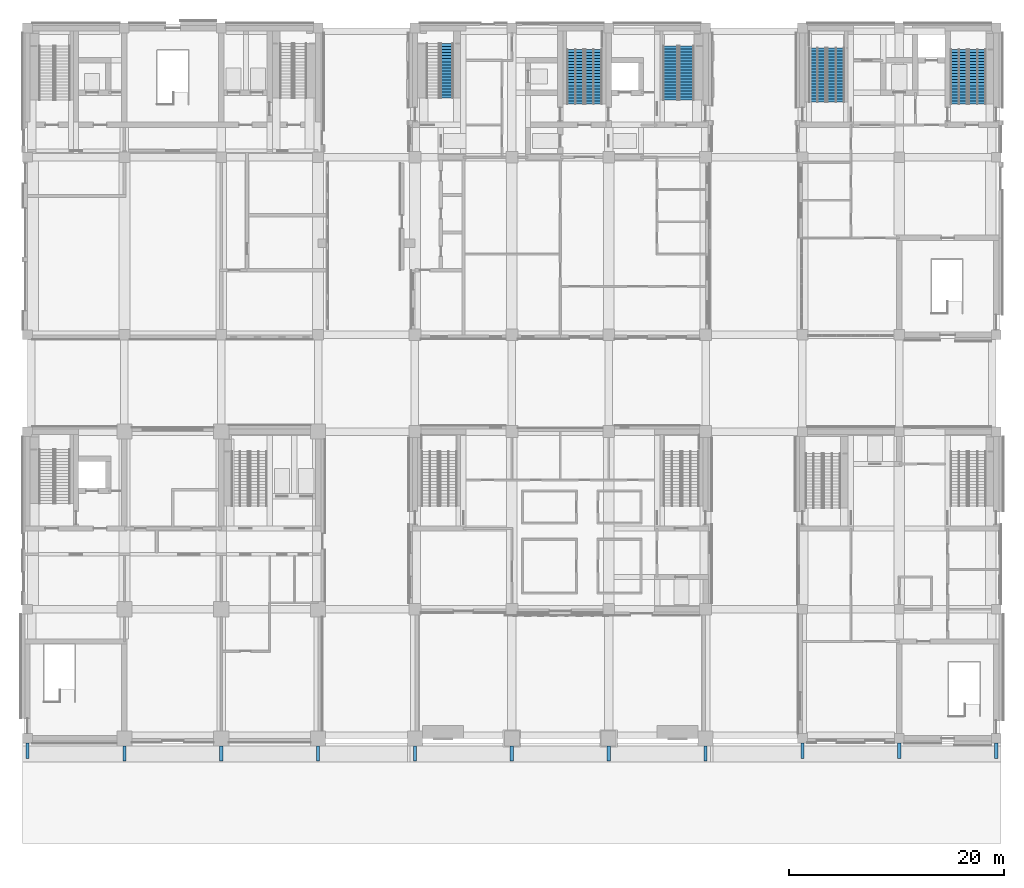
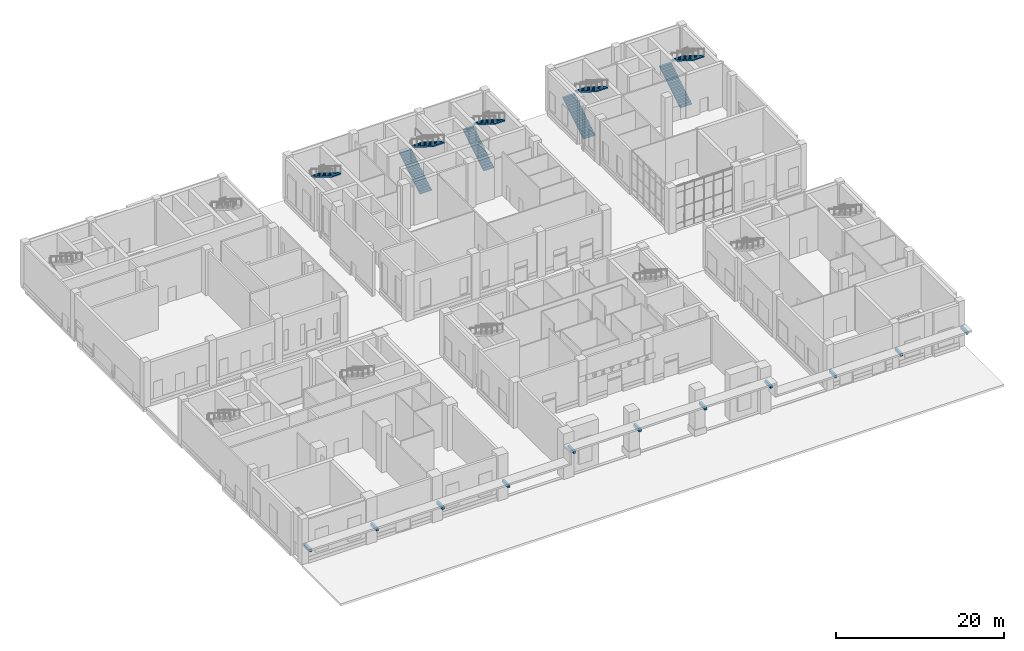
# One storey, part 21 of 35: 11 discrete accessories, 9 stair flights, 5 elements without a shape of their own.
"""IFC4 building model written with IfcOpenShell, lengths in metres."""

from ifc_helpers import new_model, si_unit, direction, frame, origin, origin_2d, place, context, subcontext, project, spatial, polyline, rectangle, outline, extrude, material, type_object, element, aggregate, save


model = new_model("IFC4")

# Units and contexts
model_context = context("Model", 3, precision=1e-05, world=origin(), true_north=direction((0.0, 1.0)))
body_context = subcontext(model_context, "Body", "Model", "MODEL_VIEW")
ifc_project = project(units=[si_unit("LENGTHUNIT", "METRE"), si_unit("AREAUNIT", "SQUARE_METRE"), si_unit("VOLUMEUNIT", "CUBIC_METRE"), si_unit("PLANEANGLEUNIT", "RADIAN"), si_unit("MASSUNIT", "GRAM", prefix="KILO")], contexts=[model_context])

# Site, building, storey
site_placement = place(None, origin())
site = spatial("IfcSite", under=ifc_project, at=site_placement, CompositionType="ELEMENT")
building_placement = place(site_placement, origin())
building = spatial("IfcBuilding", under=site, at=building_placement, Name="Aurelan Courthouse", CompositionType="ELEMENT")
storey_placement = place(building_placement, origin())
storey = spatial("IfcBuildingStorey", under=building, at=storey_placement, Name="L00", CompositionType="ELEMENT", Elevation=0.0)

# Stair, stair flight
ifc_material_1 = material(Name="Concrete C30", Category="concrete")
stair_type_1 = type_object("IfcStairType", Name="Half-turn stair 1200 wide 38 risers", PredefinedType="HALF_TURN_STAIR", material=ifc_material_1)
stair_1_placement = place(storey_placement, origin())
stair_1 = element("IfcStair", 1, at=stair_1_placement, inside=storey, type_object=stair_type_1, Name="Stair CS-2-L00", PredefinedType="HALF_TURN_STAIR")
stair_flight_type_1 = type_object("IfcStairFlightType", Name="Stair flight 1200 wide 19 risers", PredefinedType="STRAIGHT", material=ifc_material_1)
stair_flight_1_placement = place(storey_placement, frame((38.9599609375, 64.550048828125, 3.300048828125), z_axis=(0.0, 0.0, 1.0), x_axis=(0.0, -1.0, 0.0)))
stair_flight_1 = element("IfcStairFlight", 2, at=stair_flight_1_placement, type_object=stair_flight_type_1, Name="Stair CS-2-L00 flight 2", NumberOfRisers=19, NumberOfTreads=18, PredefinedType="STRAIGHT", RiserHeight=0.173684211, TreadLength=0.28, context=body_context, shape_type="SweptSolid", body=[
    extrude(outline(polyline([(0.0, 0.0), (0.0, 0.173583984375), (0.280029296875, 0.173583984375), (0.280029296875, 0.347412109375), (0.56005859375, 0.347412109375), (0.56005859375, 0.52099609375), (0.840087890625, 0.52099609375), (0.840087890625, 0.69482421875), (1.1201171875, 0.69482421875), (1.1201171875, 0.868408203125), (1.39990234375, 0.868408203125), (1.39990234375, 1.0419921875), (1.679931640625, 1.0419921875), (1.679931640625, 1.2158203125), (1.9599609375, 1.2158203125), (1.9599609375, 1.389404296875), (2.239990234375, 1.389404296875), (2.239990234375, 1.563232421875), (2.52001953125, 1.563232421875), (2.52001953125, 1.73681640625), (2.800048828125, 1.73681640625), (2.800048828125, 1.91064453125), (3.080078125, 1.91064453125), (3.080078125, 2.084228515625), (3.360107421875, 2.084228515625), (3.360107421875, 2.2578125), (3.639892578125, 2.2578125), (3.639892578125, 2.431640625), (3.919921875, 2.431640625), (3.919921875, 2.605224609375), (4.199951171875, 2.605224609375), (4.199951171875, 2.779052734375), (4.47998046875, 2.779052734375), (4.47998046875, 2.95263671875), (4.760009765625, 2.95263671875), (4.760009765625, 3.126220703125), (5.0400390625, 3.126220703125), (5.0400390625, 3.300048828125), (5.0400390625, 2.949951171875), (0.284423828125, 0.0), (0.0, 0.0)])), frame((0.0, 0.60009765625, 0.0), z_axis=(0.0, -1.0, 0.0), x_axis=(1.0, 0.0, 0.0)), (0.0, 0.0, 1.0), 1.199951171875),
])
aggregate(stair_1, [stair_flight_1])

# Stair, stair flights
stair_type_2 = type_object("IfcStairType", Name="Half-turn stair 1400 wide 38 risers", PredefinedType="HALF_TURN_STAIR", material=ifc_material_1)
stair_2_placement = place(storey_placement, origin())
stair_2 = element("IfcStair", 3, at=stair_2_placement, inside=storey, type_object=stair_type_2, Name="Stair ST-2E-L00", PredefinedType="HALF_TURN_STAIR")
stair_flight_type_2 = type_object("IfcStairFlightType", Name="Stair flight 1400 wide 19 risers", PredefinedType="STRAIGHT", material=ifc_material_1)
stair_flight_2_placement = place(storey_placement, frame((59.739990234375, 59.31005859375, 0.0), z_axis=(0.0, 0.0, 1.0), x_axis=(0.0, 1.0, 0.0)))
stair_flight_2 = element("IfcStairFlight", 4, at=stair_flight_2_placement, type_object=stair_flight_type_2, Name="Stair ST-2E-L00 flight 1", NumberOfRisers=19, NumberOfTreads=18, PredefinedType="STRAIGHT", RiserHeight=0.173684211, TreadLength=0.28, context=body_context, shape_type="SweptSolid", body=[
    extrude(outline(polyline([(0.0, 0.0), (0.0, 0.173583984375), (0.280029296875, 0.173583984375), (0.280029296875, 0.347412109375), (0.56005859375, 0.347412109375), (0.56005859375, 0.52099609375), (0.840087890625, 0.52099609375), (0.840087890625, 0.69482421875), (1.1201171875, 0.69482421875), (1.1201171875, 0.868408203125), (1.39990234375, 0.868408203125), (1.39990234375, 1.0419921875), (1.679931640625, 1.0419921875), (1.679931640625, 1.2158203125), (1.9599609375, 1.2158203125), (1.9599609375, 1.389404296875), (2.239990234375, 1.389404296875), (2.239990234375, 1.563232421875), (2.52001953125, 1.563232421875), (2.52001953125, 1.73681640625), (2.800048828125, 1.73681640625), (2.800048828125, 1.91064453125), (3.080078125, 1.91064453125), (3.080078125, 2.084228515625), (3.360107421875, 2.084228515625), (3.360107421875, 2.2578125), (3.639892578125, 2.2578125), (3.639892578125, 2.431640625), (3.919921875, 2.431640625), (3.919921875, 2.605224609375), (4.199951171875, 2.605224609375), (4.199951171875, 2.779052734375), (4.47998046875, 2.779052734375), (4.47998046875, 2.95263671875), (4.760009765625, 2.95263671875), (4.760009765625, 3.126220703125), (5.0400390625, 3.126220703125), (5.0400390625, 3.300048828125), (5.0400390625, 2.949951171875), (0.284423828125, 0.0), (0.0, 0.0)])), frame((0.0, 0.699951171875, 0.0), z_axis=(0.0, -1.0, 0.0), x_axis=(1.0, 0.0, 0.0)), (0.0, 0.0, 1.0), 1.39990234375),
])
stair_flight_3_placement = place(storey_placement, frame((61.239990234375, 64.35009765625, 3.300048828125), z_axis=(0.0, 0.0, 1.0), x_axis=(0.0, -1.0, 0.0)))
stair_flight_3 = element("IfcStairFlight", 5, at=stair_flight_3_placement, type_object=stair_flight_type_2, Name="Stair ST-2E-L00 flight 2", NumberOfRisers=19, NumberOfTreads=18, PredefinedType="STRAIGHT", RiserHeight=0.173684211, TreadLength=0.28, context=body_context, shape_type="SweptSolid", body=[
    extrude(outline(polyline([(0.0, 0.0), (0.0, 0.173583984375), (0.280029296875, 0.173583984375), (0.280029296875, 0.347412109375), (0.56005859375, 0.347412109375), (0.56005859375, 0.52099609375), (0.840087890625, 0.52099609375), (0.840087890625, 0.69482421875), (1.1201171875, 0.69482421875), (1.1201171875, 0.868408203125), (1.39990234375, 0.868408203125), (1.39990234375, 1.0419921875), (1.679931640625, 1.0419921875), (1.679931640625, 1.2158203125), (1.9599609375, 1.2158203125), (1.9599609375, 1.389404296875), (2.239990234375, 1.389404296875), (2.239990234375, 1.563232421875), (2.52001953125, 1.563232421875), (2.52001953125, 1.73681640625), (2.800048828125, 1.73681640625), (2.800048828125, 1.91064453125), (3.080078125, 1.91064453125), (3.080078125, 2.084228515625), (3.360107421875, 2.084228515625), (3.360107421875, 2.2578125), (3.639892578125, 2.2578125), (3.639892578125, 2.431640625), (3.919921875, 2.431640625), (3.919921875, 2.605224609375), (4.199951171875, 2.605224609375), (4.199951171875, 2.779052734375), (4.47998046875, 2.779052734375), (4.47998046875, 2.95263671875), (4.760009765625, 2.95263671875), (4.760009765625, 3.126220703125), (5.0400390625, 3.126220703125), (5.0400390625, 3.300048828125), (5.0400390625, 2.949951171875), (0.284423828125, 0.0), (0.0, 0.0)])), frame((0.0, 0.699951171875, 0.0), z_axis=(0.0, -1.0, 0.0), x_axis=(1.0, 0.0, 0.0)), (0.0, 0.0, 1.0), 1.39990234375),
])
aggregate(stair_2, [stair_flight_2, stair_flight_3])

stair_type_3 = type_object("IfcStairType", Name="Half-turn stair 1600 wide 38 risers", PredefinedType="HALF_TURN_STAIR", material=ifc_material_1)
stair_3_placement = place(storey_placement, origin())
stair_3 = element("IfcStair", 6, at=stair_3_placement, inside=storey, type_object=stair_type_3, Name="Stair ST-2A-L00", PredefinedType="HALF_TURN_STAIR")
stair_flight_type_3 = type_object("IfcStairFlightType", Name="Stair flight 1600 wide 19 risers", PredefinedType="STRAIGHT", material=ifc_material_1)
stair_flight_4_placement = place(storey_placement, frame((50.89990234375, 58.9599609375, 0.0), z_axis=(0.0, 0.0, 1.0), x_axis=(0.0, 1.0, 0.0)))
stair_flight_4 = element("IfcStairFlight", 7, at=stair_flight_4_placement, type_object=stair_flight_type_3, Name="Stair ST-2A-L00 flight 1", NumberOfRisers=19, NumberOfTreads=18, PredefinedType="STRAIGHT", RiserHeight=0.173684211, TreadLength=0.28, context=body_context, shape_type="SweptSolid", body=[
    extrude(outline(polyline([(0.0, 0.0), (0.0, 0.173583984375), (0.280029296875, 0.173583984375), (0.280029296875, 0.347412109375), (0.56005859375, 0.347412109375), (0.56005859375, 0.52099609375), (0.840087890625, 0.52099609375), (0.840087890625, 0.69482421875), (1.1201171875, 0.69482421875), (1.1201171875, 0.868408203125), (1.39990234375, 0.868408203125), (1.39990234375, 1.0419921875), (1.679931640625, 1.0419921875), (1.679931640625, 1.2158203125), (1.9599609375, 1.2158203125), (1.9599609375, 1.389404296875), (2.239990234375, 1.389404296875), (2.239990234375, 1.563232421875), (2.52001953125, 1.563232421875), (2.52001953125, 1.73681640625), (2.800048828125, 1.73681640625), (2.800048828125, 1.91064453125), (3.080078125, 1.91064453125), (3.080078125, 2.084228515625), (3.360107421875, 2.084228515625), (3.360107421875, 2.2578125), (3.639892578125, 2.2578125), (3.639892578125, 2.431640625), (3.919921875, 2.431640625), (3.919921875, 2.605224609375), (4.199951171875, 2.605224609375), (4.199951171875, 2.779052734375), (4.47998046875, 2.779052734375), (4.47998046875, 2.95263671875), (4.760009765625, 2.95263671875), (4.760009765625, 3.126220703125), (5.0400390625, 3.126220703125), (5.0400390625, 3.300048828125), (5.0400390625, 2.949951171875), (0.284423828125, 0.0), (0.0, 0.0)])), frame((0.0, 0.800048828125, 0.0), z_axis=(0.0, -1.0, 0.0), x_axis=(1.0, 0.0, 0.0)), (0.0, 0.0, 1.0), 1.60009765625),
])
stair_flight_5_placement = place(storey_placement, frame((52.60009765625, 64.0, 3.300048828125), z_axis=(0.0, 0.0, 1.0), x_axis=(0.0, -1.0, 0.0)))
stair_flight_5 = element("IfcStairFlight", 8, at=stair_flight_5_placement, type_object=stair_flight_type_3, Name="Stair ST-2A-L00 flight 2", NumberOfRisers=19, NumberOfTreads=18, PredefinedType="STRAIGHT", RiserHeight=0.173684211, TreadLength=0.28, context=body_context, shape_type="SweptSolid", body=[
    extrude(outline(polyline([(0.0, 0.0), (0.0, 0.173583984375), (0.280029296875, 0.173583984375), (0.280029296875, 0.347412109375), (0.56005859375, 0.347412109375), (0.56005859375, 0.52099609375), (0.840087890625, 0.52099609375), (0.840087890625, 0.69482421875), (1.1201171875, 0.69482421875), (1.1201171875, 0.868408203125), (1.39990234375, 0.868408203125), (1.39990234375, 1.0419921875), (1.679931640625, 1.0419921875), (1.679931640625, 1.2158203125), (1.9599609375, 1.2158203125), (1.9599609375, 1.389404296875), (2.239990234375, 1.389404296875), (2.239990234375, 1.563232421875), (2.52001953125, 1.563232421875), (2.52001953125, 1.73681640625), (2.800048828125, 1.73681640625), (2.800048828125, 1.91064453125), (3.080078125, 1.91064453125), (3.080078125, 2.084228515625), (3.360107421875, 2.084228515625), (3.360107421875, 2.2578125), (3.639892578125, 2.2578125), (3.639892578125, 2.431640625), (3.919921875, 2.431640625), (3.919921875, 2.605224609375), (4.199951171875, 2.605224609375), (4.199951171875, 2.779052734375), (4.47998046875, 2.779052734375), (4.47998046875, 2.95263671875), (4.760009765625, 2.95263671875), (4.760009765625, 3.126220703125), (5.0400390625, 3.126220703125), (5.0400390625, 3.300048828125), (5.0400390625, 2.949951171875), (0.284423828125, 0.0), (0.0, 0.0)])), frame((0.0, 0.800048828125, 0.0), z_axis=(0.0, -1.0, 0.0), x_axis=(1.0, 0.0, 0.0)), (0.0, 0.0, 1.0), 1.60009765625),
])
aggregate(stair_3, [stair_flight_4, stair_flight_5])

stair_4_placement = place(storey_placement, origin())
stair_4 = element("IfcStair", 9, at=stair_4_placement, inside=storey, type_object=stair_type_3, Name="Stair ST-3A-L00", PredefinedType="HALF_TURN_STAIR")
stair_flight_6_placement = place(storey_placement, frame((73.39990234375, 59.110107421875, 0.0), z_axis=(0.0, 0.0, 1.0), x_axis=(0.0, 1.0, 0.0)))
stair_flight_6 = element("IfcStairFlight", 10, at=stair_flight_6_placement, type_object=stair_flight_type_3, Name="Stair ST-3A-L00 flight 1", NumberOfRisers=19, NumberOfTreads=18, PredefinedType="STRAIGHT", RiserHeight=0.173684211, TreadLength=0.28, context=body_context, shape_type="SweptSolid", body=[
    extrude(outline(polyline([(0.0, 0.0), (0.0, 0.173583984375), (0.280029296875, 0.173583984375), (0.280029296875, 0.347412109375), (0.56005859375, 0.347412109375), (0.56005859375, 0.52099609375), (0.840087890625, 0.52099609375), (0.840087890625, 0.69482421875), (1.1201171875, 0.69482421875), (1.1201171875, 0.868408203125), (1.39990234375, 0.868408203125), (1.39990234375, 1.0419921875), (1.679931640625, 1.0419921875), (1.679931640625, 1.2158203125), (1.9599609375, 1.2158203125), (1.9599609375, 1.389404296875), (2.239990234375, 1.389404296875), (2.239990234375, 1.563232421875), (2.52001953125, 1.563232421875), (2.52001953125, 1.73681640625), (2.800048828125, 1.73681640625), (2.800048828125, 1.91064453125), (3.080078125, 1.91064453125), (3.080078125, 2.084228515625), (3.360107421875, 2.084228515625), (3.360107421875, 2.2578125), (3.639892578125, 2.2578125), (3.639892578125, 2.431640625), (3.919921875, 2.431640625), (3.919921875, 2.605224609375), (4.199951171875, 2.605224609375), (4.199951171875, 2.779052734375), (4.47998046875, 2.779052734375), (4.47998046875, 2.95263671875), (4.760009765625, 2.95263671875), (4.760009765625, 3.126220703125), (5.0400390625, 3.126220703125), (5.0400390625, 3.300048828125), (5.0400390625, 2.949951171875), (0.284423828125, 0.0), (0.0, 0.0)])), frame((0.0, 0.800048828125, 0.0), z_axis=(0.0, -1.0, 0.0), x_axis=(1.0, 0.0, 0.0)), (0.0, 0.0, 1.0), 1.60009765625),
])
stair_flight_7_placement = place(storey_placement, frame((75.10009765625, 64.14990234375, 3.300048828125), z_axis=(0.0, 0.0, 1.0), x_axis=(0.0, -1.0, 0.0)))
stair_flight_7 = element("IfcStairFlight", 11, at=stair_flight_7_placement, type_object=stair_flight_type_3, Name="Stair ST-3A-L00 flight 2", NumberOfRisers=19, NumberOfTreads=18, PredefinedType="STRAIGHT", RiserHeight=0.173684211, TreadLength=0.28, context=body_context, shape_type="SweptSolid", body=[
    extrude(outline(polyline([(0.0, 0.0), (0.0, 0.173583984375), (0.280029296875, 0.173583984375), (0.280029296875, 0.347412109375), (0.56005859375, 0.347412109375), (0.56005859375, 0.52099609375), (0.840087890625, 0.52099609375), (0.840087890625, 0.69482421875), (1.1201171875, 0.69482421875), (1.1201171875, 0.868408203125), (1.39990234375, 0.868408203125), (1.39990234375, 1.0419921875), (1.679931640625, 1.0419921875), (1.679931640625, 1.2158203125), (1.9599609375, 1.2158203125), (1.9599609375, 1.389404296875), (2.239990234375, 1.389404296875), (2.239990234375, 1.563232421875), (2.52001953125, 1.563232421875), (2.52001953125, 1.73681640625), (2.800048828125, 1.73681640625), (2.800048828125, 1.91064453125), (3.080078125, 1.91064453125), (3.080078125, 2.084228515625), (3.360107421875, 2.084228515625), (3.360107421875, 2.2578125), (3.639892578125, 2.2578125), (3.639892578125, 2.431640625), (3.919921875, 2.431640625), (3.919921875, 2.605224609375), (4.199951171875, 2.605224609375), (4.199951171875, 2.779052734375), (4.47998046875, 2.779052734375), (4.47998046875, 2.95263671875), (4.760009765625, 2.95263671875), (4.760009765625, 3.126220703125), (5.0400390625, 3.126220703125), (5.0400390625, 3.300048828125), (5.0400390625, 2.949951171875), (0.284423828125, 0.0), (0.0, 0.0)])), frame((0.0, 0.800048828125, 0.0), z_axis=(0.0, -1.0, 0.0), x_axis=(1.0, 0.0, 0.0)), (0.0, 0.0, 1.0), 1.60009765625),
])
aggregate(stair_4, [stair_flight_6, stair_flight_7])

stair_5_placement = place(storey_placement, origin())
stair_5 = element("IfcStair", 12, at=stair_5_placement, inside=storey, type_object=stair_type_3, Name="Stair ST-3B-L00", PredefinedType="HALF_TURN_STAIR")
stair_flight_8_placement = place(storey_placement, frame((86.550048828125, 58.9599609375, 0.0), z_axis=(0.0, 0.0, 1.0), x_axis=(0.0, 1.0, 0.0)))
stair_flight_8 = element("IfcStairFlight", 13, at=stair_flight_8_placement, type_object=stair_flight_type_3, Name="Stair ST-3B-L00 flight 1", NumberOfRisers=19, NumberOfTreads=18, PredefinedType="STRAIGHT", RiserHeight=0.173684211, TreadLength=0.28, context=body_context, shape_type="SweptSolid", body=[
    extrude(outline(polyline([(0.0, 0.0), (0.0, 0.173583984375), (0.280029296875, 0.173583984375), (0.280029296875, 0.347412109375), (0.56005859375, 0.347412109375), (0.56005859375, 0.52099609375), (0.840087890625, 0.52099609375), (0.840087890625, 0.69482421875), (1.1201171875, 0.69482421875), (1.1201171875, 0.868408203125), (1.39990234375, 0.868408203125), (1.39990234375, 1.0419921875), (1.679931640625, 1.0419921875), (1.679931640625, 1.2158203125), (1.9599609375, 1.2158203125), (1.9599609375, 1.389404296875), (2.239990234375, 1.389404296875), (2.239990234375, 1.563232421875), (2.52001953125, 1.563232421875), (2.52001953125, 1.73681640625), (2.800048828125, 1.73681640625), (2.800048828125, 1.91064453125), (3.080078125, 1.91064453125), (3.080078125, 2.084228515625), (3.360107421875, 2.084228515625), (3.360107421875, 2.2578125), (3.639892578125, 2.2578125), (3.639892578125, 2.431640625), (3.919921875, 2.431640625), (3.919921875, 2.605224609375), (4.199951171875, 2.605224609375), (4.199951171875, 2.779052734375), (4.47998046875, 2.779052734375), (4.47998046875, 2.95263671875), (4.760009765625, 2.95263671875), (4.760009765625, 3.126220703125), (5.0400390625, 3.126220703125), (5.0400390625, 3.300048828125), (5.0400390625, 2.949951171875), (0.284423828125, 0.0), (0.0, 0.0)])), frame((0.0, 0.800048828125, 0.0), z_axis=(0.0, -1.0, 0.0), x_axis=(1.0, 0.0, 0.0)), (0.0, 0.0, 1.0), 1.60009765625),
])
stair_flight_9_placement = place(storey_placement, frame((88.25, 64.0, 3.300048828125), z_axis=(0.0, 0.0, 1.0), x_axis=(0.0, -1.0, 0.0)))
stair_flight_9 = element("IfcStairFlight", 14, at=stair_flight_9_placement, type_object=stair_flight_type_3, Name="Stair ST-3B-L00 flight 2", NumberOfRisers=19, NumberOfTreads=18, PredefinedType="STRAIGHT", RiserHeight=0.173684211, TreadLength=0.28, context=body_context, shape_type="SweptSolid", body=[
    extrude(outline(polyline([(0.0, 0.0), (0.0, 0.173583984375), (0.280029296875, 0.173583984375), (0.280029296875, 0.347412109375), (0.56005859375, 0.347412109375), (0.56005859375, 0.52099609375), (0.840087890625, 0.52099609375), (0.840087890625, 0.69482421875), (1.1201171875, 0.69482421875), (1.1201171875, 0.868408203125), (1.39990234375, 0.868408203125), (1.39990234375, 1.0419921875), (1.679931640625, 1.0419921875), (1.679931640625, 1.2158203125), (1.9599609375, 1.2158203125), (1.9599609375, 1.389404296875), (2.239990234375, 1.389404296875), (2.239990234375, 1.563232421875), (2.52001953125, 1.563232421875), (2.52001953125, 1.73681640625), (2.800048828125, 1.73681640625), (2.800048828125, 1.91064453125), (3.080078125, 1.91064453125), (3.080078125, 2.084228515625), (3.360107421875, 2.084228515625), (3.360107421875, 2.2578125), (3.639892578125, 2.2578125), (3.639892578125, 2.431640625), (3.919921875, 2.431640625), (3.919921875, 2.605224609375), (4.199951171875, 2.605224609375), (4.199951171875, 2.779052734375), (4.47998046875, 2.779052734375), (4.47998046875, 2.95263671875), (4.760009765625, 2.95263671875), (4.760009765625, 3.126220703125), (5.0400390625, 3.126220703125), (5.0400390625, 3.300048828125), (5.0400390625, 2.949951171875), (0.284423828125, 0.0), (0.0, 0.0)])), frame((0.0, 0.800048828125, 0.0), z_axis=(0.0, -1.0, 0.0), x_axis=(1.0, 0.0, 0.0)), (0.0, 0.0, 1.0), 1.60009765625),
])
aggregate(stair_5, [stair_flight_8, stair_flight_9])

# Discrete accessories
ifc_material_2 = material(Name="Bronze-finished aluminium", Category="aluminium")
discrete_accessory_type = type_object("IfcDiscreteAccessoryType", Name="Canopy bracket 300 x 400", PredefinedType="BRACKET", material=ifc_material_2)
for number, where, z_axis, x_axis, name in (
    (15, (0.0, -1.14990234375, 2.60009765625), (0.0, 0.0, 1.0), (1.0, 0.0, 0.0), "Canopy bracket AW-S-B001"),
    (16, (9.0, -1.39990234375, 2.60009765625), (0.0, 0.0, 1.0), (1.0, 0.0, 0.0), "Canopy bracket AW-S-B002"),
    (17, (18.0, -1.39990234375, 2.60009765625), (0.0, 0.0, 1.0), (1.0, 0.0, 0.0), "Canopy bracket AW-S-B003"),
    (18, (27.0, -1.39990234375, 2.60009765625), (0.0, 0.0, 1.0), (1.0, 0.0, 0.0), "Canopy bracket AW-S-B004"),
    (19, (36.0, -1.39990234375, 4.400146484375), (0.0, 0.0, 1.0), (1.0, 0.0, 0.0), "Canopy bracket AW-S-B005"),
    (20, (45.0, -1.39990234375, 4.400146484375), (0.0, 0.0, 1.0), (1.0, 0.0, 0.0), "Canopy bracket AW-S-B006"),
    (21, (54.0, -1.39990234375, 4.400146484375), (0.0, 0.0, 1.0), (1.0, 0.0, 0.0), "Canopy bracket AW-S-B007"),
    (22, (63.0, -1.39990234375, 4.400146484375), (0.0, 0.0, 1.0), (1.0, 0.0, 0.0), "Canopy bracket AW-S-B008"),
    (23, (72.0, -1.14990234375, 2.60009765625), (0.0, 0.0, 1.0), (1.0, 0.0, 0.0), "Canopy bracket AW-S-B009"),
    (24, (81.0, -1.14990234375, 2.60009765625), (0.0, 0.0, 1.0), (1.0, 0.0, 0.0), "Canopy bracket AW-S-B010"),
    (25, (90.0, -1.14990234375, 2.60009765625), (0.0, 0.0, 1.0), (1.0, 0.0, 0.0), "Canopy bracket AW-S-B011"),
):
    element("IfcDiscreteAccessory", number, at=place(storey_placement, frame(where, z_axis=z_axis, x_axis=x_axis)), inside=storey, type_object=discrete_accessory_type, Name=name, PredefinedType="BRACKET", context=body_context, shape_type="SweptSolid", body=[
        extrude(rectangle(XDim=0.300048828125, YDim=1.39990234375, at=origin_2d()), origin(), (0.0, 0.0, 1.0), 0.39990234375),
    ])

save(model, "model.ifc")
